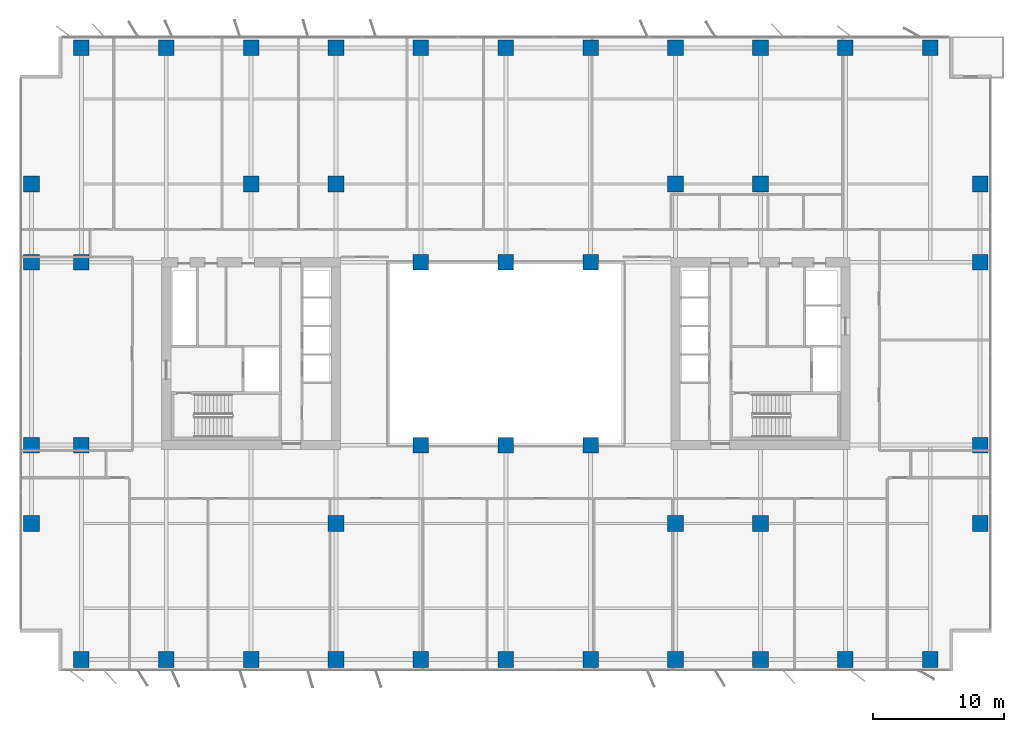
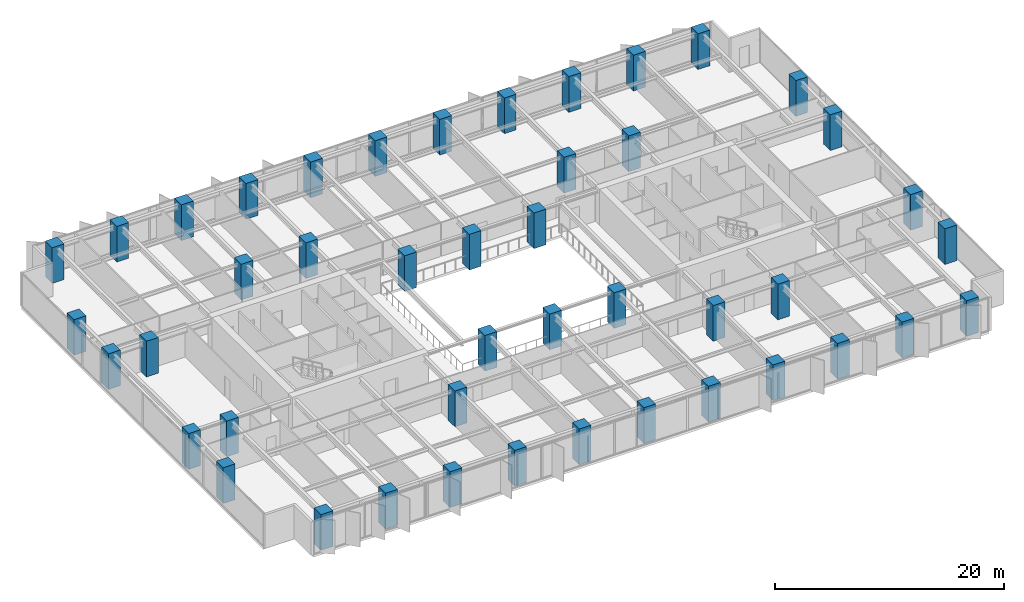
# One storey, part 1 of 20: 45 columns.
"""IFC4 building model written with IfcOpenShell, lengths in metres."""

from ifc_helpers import new_model, si_unit, direction, frame, origin, origin_2d, place, context, subcontext, project, spatial, rectangle, extrude, material, material_profile, profile_set, type_object, element, save


model = new_model("IFC4")

# Units and contexts
model_context = context("Model", 3, precision=1e-05, world=origin(), true_north=direction((0.0, 1.0)))
body_context = subcontext(model_context, "Body", "Model", "MODEL_VIEW")
ifc_project = project(units=[si_unit("LENGTHUNIT", "METRE"), si_unit("AREAUNIT", "SQUARE_METRE"), si_unit("VOLUMEUNIT", "CUBIC_METRE"), si_unit("PLANEANGLEUNIT", "RADIAN"), si_unit("MASSUNIT", "GRAM", prefix="KILO")], contexts=[model_context])

# Site, building, storey
site_placement = place(None, origin())
site = spatial("IfcSite", under=ifc_project, at=site_placement, CompositionType="ELEMENT")
building_placement = place(site_placement, origin())
building = spatial("IfcBuilding", under=site, at=building_placement, Name="Putna Gate Headquarters", CompositionType="ELEMENT")
storey_placement = place(building_placement, frame((0.0, 0.0, 127.800048828125)))
storey = spatial("IfcBuildingStorey", under=building, at=storey_placement, Name="L31", CompositionType="ELEMENT", Elevation=127.800048828125)

# Columns
ifc_material = material(Name="Concrete C60/75", Category="concrete")
ifc_material_profile_1 = material_profile(ifc_material, rectangle(XDim=1.199951171875, YDim=1.199951171875, at=origin_2d()), Name="Concrete C60/75")
ifc_profile_set_1 = profile_set([ifc_material_profile_1], Name="Concrete C60/75")
column_type_1 = type_object("IfcColumnType", Name="COL-RC1200-EXT", PredefinedType="COLUMN", material=ifc_profile_set_1)
for number, where, z_axis, x_axis, name in (
    (1, (6.5, 2.580078125, 0.0), (0.0, 0.0, 1.0), (1.0, 0.0, 0.0), "L31 Column CP-S6"),
    (2, (6.5, 49.419921875, 0.0), (0.0, 0.0, 1.0), (1.0, 0.0, 0.0), "L31 Column CP-N6"),
    (3, (13.0, 2.580078125, 0.0), (0.0, 0.0, 1.0), (1.0, 0.0, 0.0), "L31 Column CP-S13"),
    (4, (13.0, 49.419921875, 0.0), (0.0, 0.0, 1.0), (1.0, 0.0, 0.0), "L31 Column CP-N13"),
    (5, (19.5, 2.580078125, 0.0), (0.0, 0.0, 1.0), (1.0, 0.0, 0.0), "L31 Column CP-S19"),
    (6, (19.5, 49.419921875, 0.0), (0.0, 0.0, 1.0), (1.0, 0.0, 0.0), "L31 Column CP-N19"),
    (7, (26.0, 2.580078125, 0.0), (0.0, 0.0, 1.0), (1.0, 0.0, 0.0), "L31 Column CP-S26"),
    (8, (26.0, 49.419921875, 0.0), (0.0, 0.0, 1.0), (1.0, 0.0, 0.0), "L31 Column CP-N26"),
    (9, (32.5, 2.580078125, 0.0), (0.0, 0.0, 1.0), (1.0, 0.0, 0.0), "L31 Column CP-S32"),
    (10, (32.5, 49.419921875, 0.0), (0.0, 0.0, 1.0), (1.0, 0.0, 0.0), "L31 Column CP-N32"),
    (11, (39.0, 2.580078125, 0.0), (0.0, 0.0, 1.0), (1.0, 0.0, 0.0), "L31 Column CP-S39"),
    (12, (39.0, 49.419921875, 0.0), (0.0, 0.0, 1.0), (1.0, 0.0, 0.0), "L31 Column CP-N39"),
    (13, (45.5, 2.580078125, 0.0), (0.0, 0.0, 1.0), (1.0, 0.0, 0.0), "L31 Column CP-S45"),
    (14, (45.5, 49.419921875, 0.0), (0.0, 0.0, 1.0), (1.0, 0.0, 0.0), "L31 Column CP-N45"),
    (15, (52.0, 2.580078125, 0.0), (0.0, 0.0, 1.0), (1.0, 0.0, 0.0), "L31 Column CP-S52"),
    (16, (52.0, 49.419921875, 0.0), (0.0, 0.0, 1.0), (1.0, 0.0, 0.0), "L31 Column CP-N52"),
    (17, (58.5, 2.580078125, 0.0), (0.0, 0.0, 1.0), (1.0, 0.0, 0.0), "L31 Column CP-S58"),
    (18, (58.5, 49.419921875, 0.0), (0.0, 0.0, 1.0), (1.0, 0.0, 0.0), "L31 Column CP-N58"),
    (19, (65.0, 2.580078125, 0.0), (0.0, 0.0, 1.0), (1.0, 0.0, 0.0), "L31 Column CP-S65"),
    (20, (65.0, 49.419921875, 0.0), (0.0, 0.0, 1.0), (1.0, 0.0, 0.0), "L31 Column CP-N65"),
    (21, (71.5, 2.580078125, 0.0), (0.0, 0.0, 1.0), (1.0, 0.0, 0.0), "L31 Column CP-S71"),
    (22, (71.5, 49.419921875, 0.0), (0.0, 0.0, 1.0), (1.0, 0.0, 0.0), "L31 Column CP-N71"),
    (23, (2.679931640625, 13.0, 0.0), (0.0, 0.0, 1.0), (1.0, 0.0, 0.0), "L31 Column CP-W13"),
    (24, (75.320068359375, 13.0, 0.0), (0.0, 0.0, 1.0), (1.0, 0.0, 0.0), "L31 Column CP-E13"),
    (25, (2.679931640625, 19.0, 0.0), (0.0, 0.0, 1.0), (1.0, 0.0, 0.0), "L31 Column CP-W19"),
    (26, (75.320068359375, 19.0, 0.0), (0.0, 0.0, 1.0), (1.0, 0.0, 0.0), "L31 Column CP-E19"),
    (27, (2.679931640625, 33.0, 0.0), (0.0, 0.0, 1.0), (1.0, 0.0, 0.0), "L31 Column CP-W33"),
    (28, (75.320068359375, 33.0, 0.0), (0.0, 0.0, 1.0), (1.0, 0.0, 0.0), "L31 Column CP-E33"),
    (29, (2.679931640625, 39.0, 0.0), (0.0, 0.0, 1.0), (1.0, 0.0, 0.0), "L31 Column CP-W39"),
    (30, (75.320068359375, 39.0, 0.0), (0.0, 0.0, 1.0), (1.0, 0.0, 0.0), "L31 Column CP-E39"),
):
    element("IfcColumn", number, at=place(storey_placement, frame(where, z_axis=z_axis, x_axis=x_axis)), inside=storey, type_object=column_type_1, Name=name, PredefinedType="COLUMN", context=body_context, shape_type="SweptSolid", body=[
        extrude(rectangle(XDim=1.199951171875, YDim=1.199951171875, at=origin_2d()), origin(), (0.0, 0.0, 1.0), 3.800048828125),
    ])
ifc_material_profile_2 = material_profile(ifc_material, rectangle(XDim=1.199951171875, YDim=1.199951171875, at=origin_2d()), Name="Concrete C60/75")
ifc_profile_set_2 = profile_set([ifc_material_profile_2], Name="Concrete C60/75")
column_type_2 = type_object("IfcColumnType", Name="COL-RC1200-INT", PredefinedType="COLUMN", material=ifc_profile_set_2)
for number, where, z_axis, x_axis, name in (
    (31, (19.5, 39.0, 0.0), (0.0, 0.0, 1.0), (1.0, 0.0, 0.0), "L31 Column CSI-WN"),
    (32, (58.5, 13.0, 0.0), (0.0, 0.0, 1.0), (1.0, 0.0, 0.0), "L31 Column CSI-ES"),
    (33, (58.5, 39.0, 0.0), (0.0, 0.0, 1.0), (1.0, 0.0, 0.0), "L31 Column CSI-EN"),
    (34, (6.5, 19.0, 0.0), (0.0, 0.0, 1.0), (1.0, 0.0, 0.0), "L31 Column CSI-WM"),
    (35, (6.5, 33.0, 0.0), (0.0, 0.0, 1.0), (1.0, 0.0, 0.0), "L31 Column CSI-WNW"),
    (36, (32.5, 19.0, 0.0), (0.0, 0.0, 1.0), (1.0, 0.0, 0.0), "L31 Column CAI-S32"),
    (37, (32.5, 33.0, 0.0), (0.0, 0.0, 1.0), (1.0, 0.0, 0.0), "L31 Column CAI-N32"),
    (38, (39.0, 19.0, 0.0), (0.0, 0.0, 1.0), (1.0, 0.0, 0.0), "L31 Column CAI-S39"),
    (39, (39.0, 33.0, 0.0), (0.0, 0.0, 1.0), (1.0, 0.0, 0.0), "L31 Column CAI-N39"),
    (40, (45.5, 19.0, 0.0), (0.0, 0.0, 1.0), (1.0, 0.0, 0.0), "L31 Column CAI-S45"),
    (41, (45.5, 33.0, 0.0), (0.0, 0.0, 1.0), (1.0, 0.0, 0.0), "L31 Column CAI-N45"),
    (42, (26.0, 13.0, 0.0), (0.0, 0.0, 1.0), (1.0, 0.0, 0.0), "L31 Column CAP-WS"),
    (43, (26.0, 39.0, 0.0), (0.0, 0.0, 1.0), (1.0, 0.0, 0.0), "L31 Column CAP-WN"),
    (44, (52.0, 13.0, 0.0), (0.0, 0.0, 1.0), (1.0, 0.0, 0.0), "L31 Column CAP-ES"),
    (45, (52.0, 39.0, 0.0), (0.0, 0.0, 1.0), (1.0, 0.0, 0.0), "L31 Column CAP-EN"),
):
    element("IfcColumn", number, at=place(storey_placement, frame(where, z_axis=z_axis, x_axis=x_axis)), inside=storey, type_object=column_type_2, Name=name, PredefinedType="COLUMN", context=body_context, shape_type="SweptSolid", body=[
        extrude(rectangle(XDim=1.199951171875, YDim=1.199951171875, at=origin_2d()), origin(), (0.0, 0.0, 1.0), 3.800048828125),
    ])

save(model, "model.ifc")
